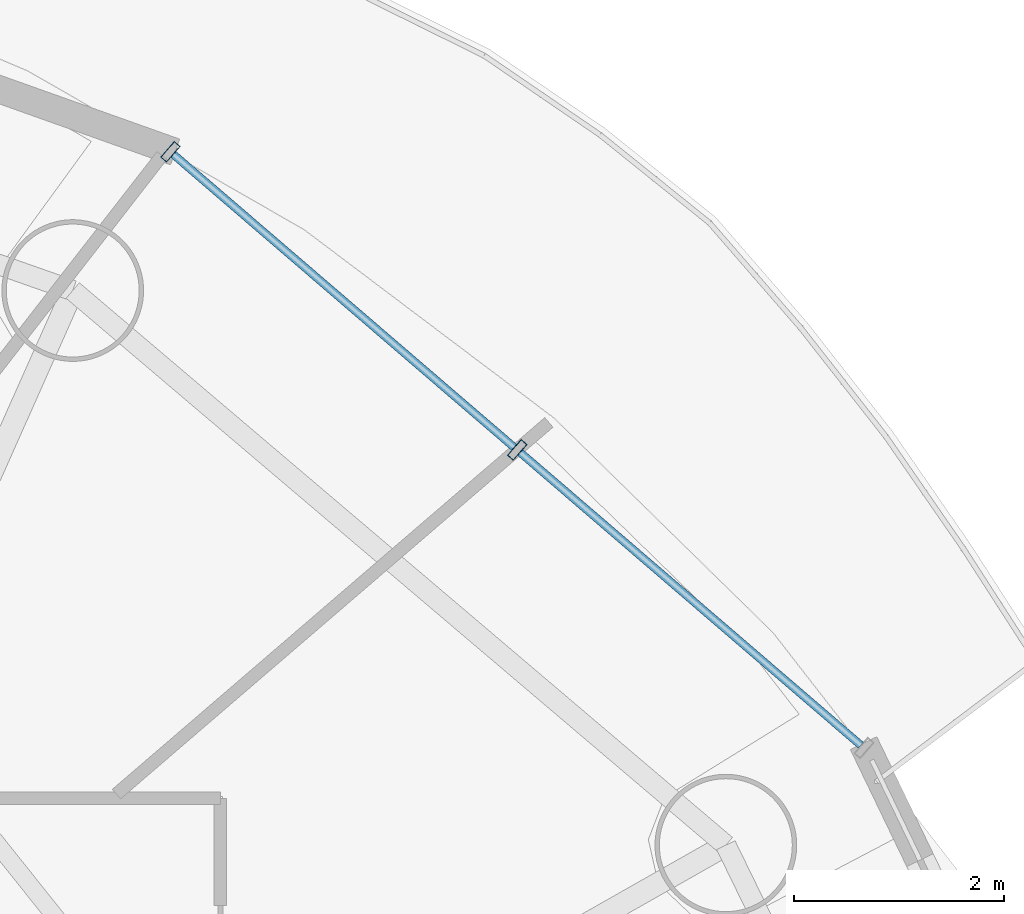
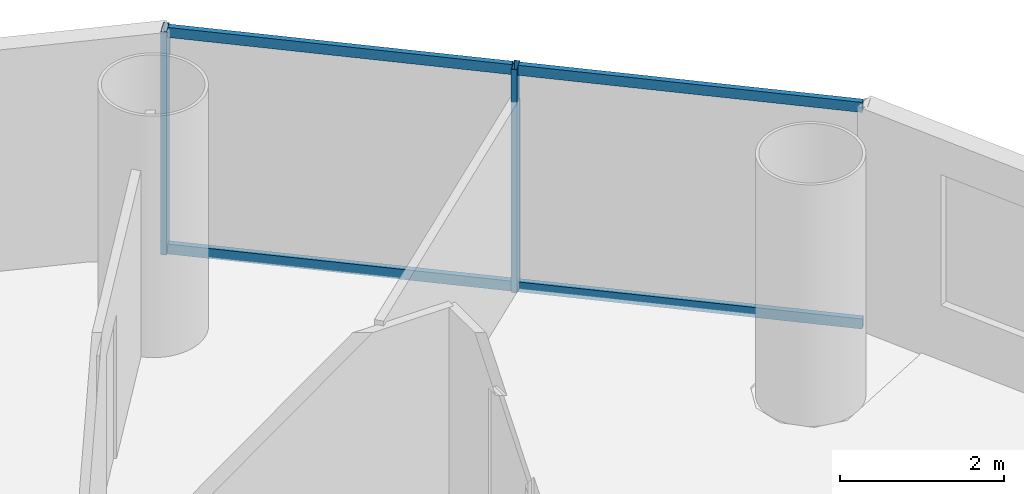
# One storey, part 18 of 26: 6 members, 1 element without a shape of its own.
"""IFC4 building model written with IfcOpenShell, lengths in metres."""

from ifc_helpers import new_model, si_unit, direction, frame, origin, origin_2d, place, context, subcontext, project, spatial, hollow_rectangle, extrude, source, transform, mapped, material, material_profile, profile_set, type_object, element, aggregate, save


model = new_model("IFC4")

# Units and contexts
model_context = context("Model", 3, precision=1e-05, world=origin(), true_north=direction((-0.2419218956, 0.970295726276)))
body_context = subcontext(model_context, "Body", "Model", "MODEL_VIEW")
ifc_project = project(units=[si_unit("LENGTHUNIT", "METRE"), si_unit("AREAUNIT", "SQUARE_METRE"), si_unit("VOLUMEUNIT", "CUBIC_METRE"), si_unit("PLANEANGLEUNIT", "RADIAN"), si_unit("MASSUNIT", "GRAM", prefix="KILO")], contexts=[model_context])

# Site, building, storey
site_placement = place(None, origin())
site = spatial("IfcSite", under=ifc_project, at=site_placement, CompositionType="ELEMENT")
building_placement = place(site_placement, origin())
building = spatial("IfcBuilding", under=site, at=building_placement, Name="Cobrevalo Terracotta Tower", CompositionType="ELEMENT")
storey_placement = place(building_placement, frame((0.0, 0.0, 135.39990234375)))
storey = spatial("IfcBuildingStorey", under=building, at=storey_placement, Name="L35", CompositionType="ELEMENT", Elevation=135.39990234375)

# Curtain wall, members
ifc_material = material(Name="Anodized aluminium", Category="aluminium")
curtain_wall_type = type_object("IfcCurtainWallType", Name="Mid-tower high-wind unitised curtain wall CW-U2", PredefinedType="NOTDEFINED", material=ifc_material)
curtain_wall_placement = place(storey_placement, origin())
curtain_wall = element("IfcCurtainWall", 1, at=curtain_wall_placement, inside=storey, type_object=curtain_wall_type, Name="L35 curtain wall CW-L35-S02", PredefinedType="NOTDEFINED")
ifc_material_profile_1 = material_profile(ifc_material, hollow_rectangle(XDim=0.074951171875, YDim=0.199951171875, WallThickness=0.0048828125, at=origin_2d()), Name="CWM 75x200")
ifc_profile_set_1 = profile_set([ifc_material_profile_1], Name="Anodized aluminium")
member_type_1 = type_object("IfcMemberType", Name="Lower/mid tower unitised mullion 75x200", PredefinedType="MULLION", material=ifc_profile_set_1)
shared_shape_1 = source(origin(), body_context, "Body", "SweptSolid", [
    extrude(hollow_rectangle(XDim=0.074951171875, YDim=0.199951171875, WallThickness=0.0048828125, at=origin_2d()), origin(), (0.0, 0.0, 1.0), 3.330078125),
])
member_1_placement = place(storey_placement, frame((54.762451171875, 41.204345703125, 0.0), z_axis=(0.0, 0.0, 1.0), x_axis=(-0.758441546142, 0.65174106905, 0.0)))
member_1 = element("IfcMember", 2, at=member_1_placement, type_object=member_type_1, Name="CW-L35-S02 vertical mullion 02", PredefinedType="MULLION", context=body_context, shape_type="MappedRepresentation", body=[
    mapped(shared_shape_1, transform((0.0, 0.0, 0.0), scale=1.0)),
])
member_2_placement = place(storey_placement, frame((51.45849609375, 44.04345703125, 0.0), z_axis=(0.0, 0.0, 1.0), x_axis=(-0.758441546142, 0.65174106905, 0.0)))
member_2 = element("IfcMember", 3, at=member_2_placement, type_object=member_type_1, Name="CW-L35-S02 vertical mullion 03", PredefinedType="MULLION", context=body_context, shape_type="MappedRepresentation", body=[
    mapped(shared_shape_1, transform((0.0, 0.0, 0.0), scale=1.0)),
])
ifc_material_profile_2 = material_profile(ifc_material, hollow_rectangle(XDim=0.074951171875, YDim=0.14990234375, WallThickness=0.00439453125, at=origin_2d()), Name="CWT 75x150")
ifc_profile_set_2 = profile_set([ifc_material_profile_2], Name="Anodized aluminium")
member_type_2 = type_object("IfcMemberType", Name="Tower unitised aluminium transom 75x150", PredefinedType="USERDEFINED", material=ifc_profile_set_2)
shared_shape_2 = source(origin(), body_context, "Body", "SweptSolid", [
    extrude(hollow_rectangle(XDim=0.074951171875, YDim=0.14990234375, WallThickness=0.00439453125, at=origin_2d()), origin(), (0.0, 0.0, 1.0), 4.276123046875),
])
member_3_placement = place(storey_placement, frame((58.035888671875, 38.391357421875, 0.050048828125), z_axis=(-0.758445941187, 0.65173595443, 0.0), x_axis=(-0.65173595443, -0.758445941187, 0.0)))
member_3 = element("IfcMember", 4, at=member_3_placement, type_object=member_type_2, Name="CW-L35-S02 transom B01-T1", ObjectType="TRANSOM", PredefinedType="USERDEFINED", context=body_context, shape_type="MappedRepresentation", body=[
    mapped(shared_shape_2, transform((0.0, 0.0, 0.0), scale=1.0)),
])
member_4_placement = place(storey_placement, frame((58.035888671875, 38.391357421875, 3.280029296875), z_axis=(-0.758445941187, 0.65173595443, 0.0), x_axis=(-0.65173595443, -0.758445941187, 0.0)))
member_4 = element("IfcMember", 5, at=member_4_placement, type_object=member_type_2, Name="CW-L35-S02 transom B01-T2", ObjectType="TRANSOM", PredefinedType="USERDEFINED", context=body_context, shape_type="MappedRepresentation", body=[
    mapped(shared_shape_2, transform((0.0, 0.0, 0.0), scale=1.0)),
])
member_5_placement = place(storey_placement, frame((54.73193359375, 41.23046875, 0.050048828125), z_axis=(-0.758417719247, 0.651768795764, 0.0), x_axis=(-0.651768795764, -0.758417719247, 0.0)))
member_5 = element("IfcMember", 6, at=member_5_placement, type_object=member_type_2, Name="CW-L35-S02 transom B02-T1", ObjectType="TRANSOM", PredefinedType="USERDEFINED", context=body_context, shape_type="MappedRepresentation", body=[
    mapped(shared_shape_2, transform((0.0, 0.0, 0.0), scale=1.0)),
])
member_6_placement = place(storey_placement, frame((54.73193359375, 41.23046875, 3.280029296875), z_axis=(-0.758417719247, 0.651768795764, 0.0), x_axis=(-0.651768795764, -0.758417719247, 0.0)))
member_6 = element("IfcMember", 7, at=member_6_placement, type_object=member_type_2, Name="CW-L35-S02 transom B02-T2", ObjectType="TRANSOM", PredefinedType="USERDEFINED", context=body_context, shape_type="MappedRepresentation", body=[
    mapped(shared_shape_2, transform((0.0, 0.0, 0.0), scale=1.0)),
])
aggregate(curtain_wall, [member_1, member_2, member_3, member_4, member_5, member_6])

save(model, "model.ifc")
